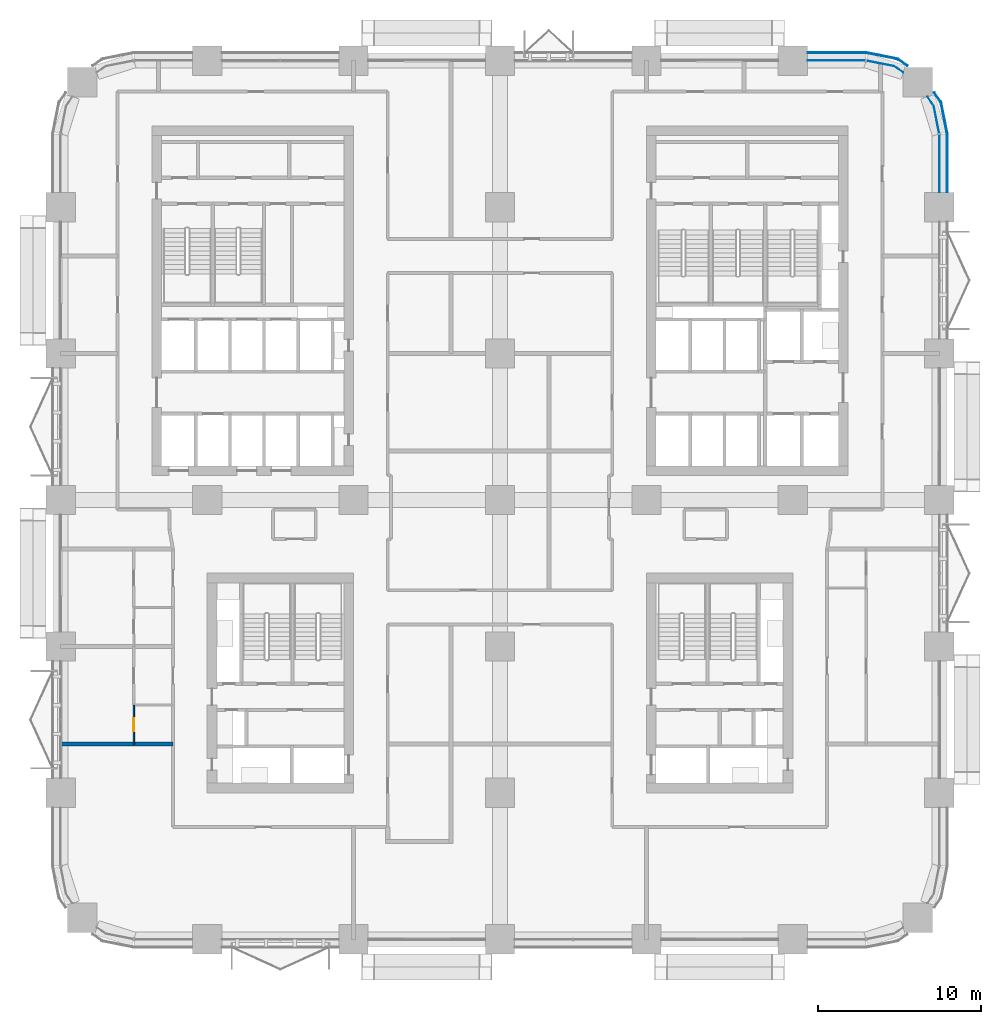
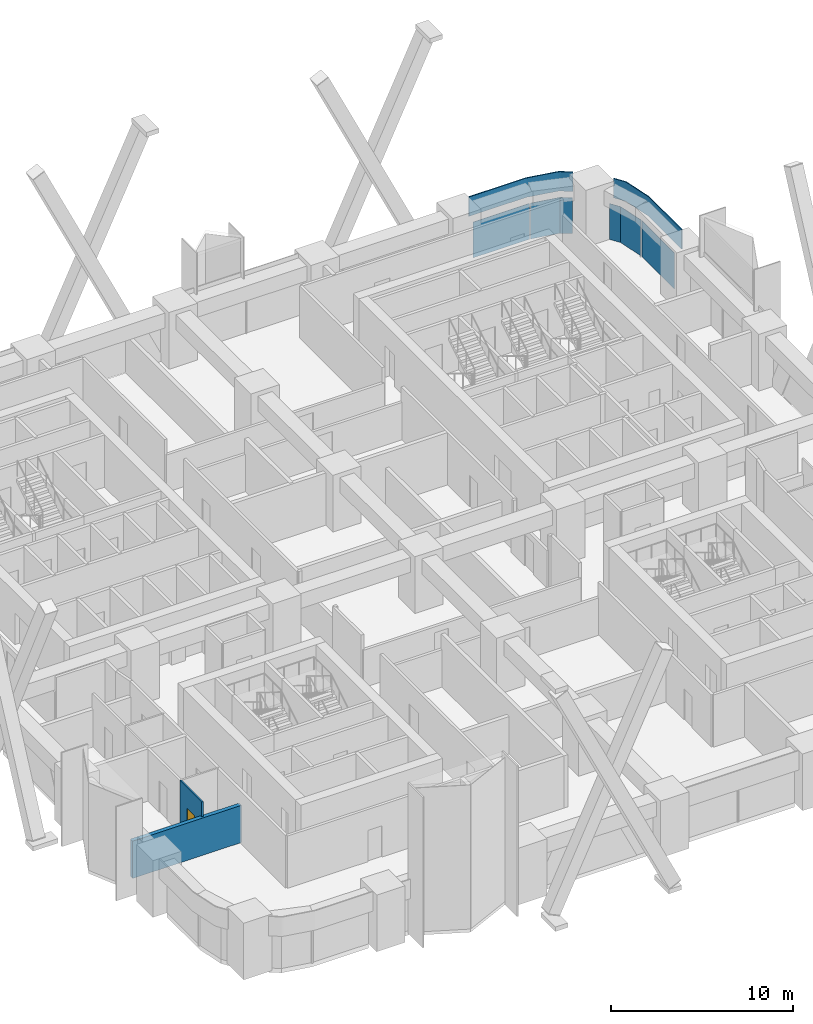
# One storey, part 13 of 23: 6 plates, 2 walls, 1 door, 1 opening, 2 elements without a shape of their own.
"""IFC4 building model written with IfcOpenShell, lengths in metres."""

from ifc_helpers import new_model, si_unit, direction, frame, frame_2d, origin, origin_2d, place, context, subcontext, project, spatial, polyline, rectangle, outline, extrude, material, layer, layer_set, type_object, element, fill, aggregate, save


model = new_model("IFC4")

# Units and contexts
model_context = context("Model", 3, precision=1e-05, world=origin(), true_north=direction((0.0, 1.0)))
body_context = subcontext(model_context, "Body", "Model", "MODEL_VIEW")
ifc_project = project(units=[si_unit("LENGTHUNIT", "METRE"), si_unit("AREAUNIT", "SQUARE_METRE"), si_unit("VOLUMEUNIT", "CUBIC_METRE"), si_unit("PLANEANGLEUNIT", "RADIAN"), si_unit("MASSUNIT", "GRAM", prefix="KILO")], contexts=[model_context])

# Site, building, storey
site_placement = place(None, origin())
site = spatial("IfcSite", under=ifc_project, at=site_placement, CompositionType="ELEMENT")
building_placement = place(site_placement, origin())
building = spatial("IfcBuilding", under=site, at=building_placement, Name="Tessera Arch", CompositionType="ELEMENT")
storey_placement = place(building_placement, frame((0.0, 0.0, 46.199951171875)))
storey = spatial("IfcBuildingStorey", under=building, at=storey_placement, Name="L09", CompositionType="ELEMENT", Elevation=46.199951171875)

# Curtain wall, plates
ifc_material_1 = material(Name="CW2 curtain wall")
curtain_wall_type = type_object("IfcCurtainWallType", Name="CW2 curtain wall", PredefinedType="NOTDEFINED", material=ifc_material_1)
curtain_wall_1_placement = place(storey_placement, origin())
curtain_wall_1 = element("IfcCurtainWall", 1, at=curtain_wall_1_placement, inside=storey, type_object=curtain_wall_type, Name="CW2 curtain wall E54.0/5 L09", PredefinedType="NOTDEFINED")
ifc_material_2 = material(Name="Clear low-e glass", Category="glass")
ifc_material_3 = material(Name="Clear low-e glass", Category="glass")
ifc_layer_1 = layer(ifc_material_3, 0.028076171875)
ifc_layer_set_1 = layer_set([ifc_layer_1], Name="CW2 glass panel")
plate_type_1 = type_object("IfcPlateType", Name="CW2 glass panel", PredefinedType="CURTAIN_PANEL", material=ifc_layer_set_1)
plate_1_placement = place(storey_placement, frame((54.0, 47.679931640625, 0.0), z_axis=(0.0, 0.0, 1.0), x_axis=(0.0, 1.0, 0.0)))
plate_1 = element("IfcPlate", 2, at=plate_1_placement, type_object=plate_type_1, material=ifc_material_2, Name="CW2 glass panel E54.0/5 1.1", PredefinedType="CURTAIN_PANEL", context=body_context, shape_type="SweptSolid", body=[
    extrude(rectangle(XDim=3.56005859375, YDim=0.028076171875, at=origin_2d()), origin(), (0.0, 0.0, 1.0), 2.39990234375),
])
plate_2_placement = place(storey_placement, origin())
plate_2 = element("IfcPlate", 3, at=plate_2_placement, type_object=plate_type_1, material=ifc_material_2, Name="CW2 curved glass panel E54.0/5 2.1", PredefinedType="CURTAIN_PANEL", context=body_context, shape_type="SweptSolid", body=[
    extrude(outline(polyline([(53.644287109375, 51.216552734375), (53.978515625, 49.53662109375), (54.005859375, 49.5419921875), (53.670654296875, 51.2275390625), (53.294921875, 51.789794921875), (53.271728515625, 51.774169921875), (53.644287109375, 51.216552734375)])), origin(), (0.0, 0.0, 1.0), 2.400146484375),
])

curtain_wall_2_placement = place(storey_placement, origin())
curtain_wall_2 = element("IfcCurtainWall", 4, at=curtain_wall_2_placement, inside=storey, type_object=curtain_wall_type, Name="CW2 curtain wall N54.0/0 L09", PredefinedType="NOTDEFINED")
plate_3_placement = place(storey_placement, frame((47.679931640625, 54.0, 0.0), z_axis=(0.0, 0.0, 1.0), x_axis=(-1.0, 0.0, 0.0)))
plate_3 = element("IfcPlate", 5, at=plate_3_placement, type_object=plate_type_1, material=ifc_material_2, Name="CW2 glass panel N54.0/0 1.1", PredefinedType="CURTAIN_PANEL", context=body_context, shape_type="SweptSolid", body=[
    extrude(rectangle(XDim=3.56005859375, YDim=0.028076171875, at=origin_2d()), origin(), (0.0, 0.0, 1.0), 2.39990234375),
])
plate_4_placement = place(storey_placement, origin())
plate_4 = element("IfcPlate", 6, at=plate_4_placement, type_object=plate_type_1, material=ifc_material_2, Name="CW2 curved glass panel N54.0/0 2.1", PredefinedType="CURTAIN_PANEL", context=body_context, shape_type="SweptSolid", body=[
    extrude(outline(polyline([(51.216552734375, 53.644287109375), (51.774169921875, 53.271728515625), (51.789794921875, 53.294921875), (51.2275390625, 53.670654296875), (49.5419921875, 54.005859375), (49.53662109375, 53.978515625), (51.216552734375, 53.644287109375)])), origin(), (0.0, 0.0, 1.0), 2.400146484375),
])

# Plate
ifc_material_4 = material(Name="Pale anodised aluminium panel", Category="aluminium")
ifc_layer_2 = layer(ifc_material_4, 0.06005859375)
ifc_layer_set_2 = layer_set([ifc_layer_2], Name="CW2 spandrel panel")
plate_type_2 = type_object("IfcPlateType", Name="CW2 spandrel panel", PredefinedType="CURTAIN_PANEL", material=ifc_layer_set_2)
plate_5_placement = place(storey_placement, frame((0.0, 0.0, 2.5)))
plate_5 = element("IfcPlate", 7, at=plate_5_placement, type_object=plate_type_2, Name="CW2 spandrel panel E54.0/5", PredefinedType="CURTAIN_PANEL", context=body_context, shape_type="SweptSolid", body=[
    extrude(outline(polyline([(54.449951171875, 49.499267578125), (54.449951171875, 45.89990234375), (54.510009765625, 45.89990234375), (54.510009765625, 49.500732421875), (54.507568359375, 49.550048828125), (54.500244140625, 49.598876953125), (54.157470703125, 51.322265625), (54.1455078125, 51.3701171875), (54.128662109375, 51.417236328125), (54.107177734375, 51.462646484375), (54.08203125, 51.5048828125), (53.707275390625, 52.0654296875), (53.657470703125, 52.031982421875), (54.03125, 51.47265625), (54.05419921875, 51.434326171875), (54.0732421875, 51.394287109375), (54.088134765625, 51.352783203125), (54.09912109375, 51.30908203125), (54.441162109375, 49.588623046875), (54.44775390625, 49.544189453125), (54.449951171875, 49.499267578125)])), origin(), (0.0, 0.0, 1.0), 1.300048828125),
])

aggregate(curtain_wall_1, [plate_1, plate_2, plate_5])

plate_6_placement = place(storey_placement, frame((0.0, 0.0, 2.5)))
plate_6 = element("IfcPlate", 8, at=plate_6_placement, type_object=plate_type_2, Name="CW2 spandrel panel N54.0/0", PredefinedType="CURTAIN_PANEL", context=body_context, shape_type="SweptSolid", body=[
    extrude(outline(polyline([(51.47265625, 54.03125), (52.031982421875, 53.657470703125), (52.0654296875, 53.707275390625), (51.5048828125, 54.08203125), (51.462646484375, 54.107177734375), (51.417236328125, 54.128662109375), (51.3701171875, 54.1455078125), (51.322265625, 54.157470703125), (49.598876953125, 54.500244140625), (49.550048828125, 54.507568359375), (49.500732421875, 54.510009765625), (45.89990234375, 54.510009765625), (45.89990234375, 54.449951171875), (49.499267578125, 54.449951171875), (49.544189453125, 54.44775390625), (49.588623046875, 54.441162109375), (51.30908203125, 54.09912109375), (51.352783203125, 54.088134765625), (51.394287109375, 54.0732421875), (51.434326171875, 54.05419921875), (51.47265625, 54.03125)])), origin(), (0.0, 0.0, 1.0), 1.300048828125),
])

aggregate(curtain_wall_2, [plate_3, plate_4, plate_6])

# Wall
ifc_material_5 = material(Name="Double gypsum board on twin steel stud with acoustic mineral wool", Category="steel")
ifc_layer_3 = layer(ifc_material_5, 0.25)
ifc_layer_set_3 = layer_set([ifc_layer_3], Name="Party wall 250 EI 60")
wall_type_1 = type_object("IfcWallType", Name="Party wall 250 EI 60", PredefinedType="PARTITIONING", material=ifc_layer_set_3)
wall_1_placement = place(storey_placement, frame((0.0, 12.0, 0.0), z_axis=(0.0, 0.0, 1.0), x_axis=(1.0, 0.0, 0.0)))
element("IfcWall", 9, at=wall_1_placement, inside=storey, type_object=wall_type_1, Name="L09 partition 43", PredefinedType="PARTITIONING", context=body_context, shape_type="SweptSolid", body=[
    extrude(rectangle(XDim=6.89990234375, YDim=0.25, at=frame_2d((3.449951171875, 0.0))), origin(), (0.0, 0.0, 1.0), 2.5),
])

# Wall, opening, door
ifc_material_6 = material(Name="Moisture-resistant board on pre-plumbed steel stud", Category="steel")
ifc_layer_4 = layer(ifc_material_6, 0.10009765625)
ifc_layer_set_4 = layer_set([ifc_layer_4], Name="Wet wall 100")
wall_type_2 = type_object("IfcWallType", Name="Wet wall 100", PredefinedType="PARTITIONING", material=ifc_layer_set_4)
wall_2_placement = place(storey_placement, frame((4.5, 12.0, 0.0), z_axis=(0.0, 0.0, 1.0), x_axis=(0.0, 1.0, 0.0)))
wall_2 = element("IfcWall", 10, at=wall_2_placement, inside=storey, type_object=wall_type_2, Name="L09 partition 70", PredefinedType="PARTITIONING", context=body_context, shape_type="SweptSolid", body=[
    extrude(rectangle(XDim=2.39990234375, YDim=0.10009765625, at=frame_2d((1.199951171875, 0.0))), origin(), (0.0, 0.0, 1.0), 3.5),
])
opening_placement = place(wall_2_placement, frame((0.800048828125, 0.0, 0.0)))
opening = element("IfcOpeningElement", 11, at=opening_placement, cuts=wall_2, Name="Opening L09-D007", PredefinedType="OPENING", context=body_context, shape_type="SweptSolid", body=[
    extrude(rectangle(XDim=0.800048828125, YDim=2.10009765625, at=frame_2d((0.39990234375, 1.050048828125))), frame((0.0, 0.06005859375, 0.0), z_axis=(0.0, -1.0, 0.0), x_axis=(1.0, 0.0, 0.0)), (0.0, 0.0, 1.0), 0.1201171875),
])
ifc_material_7 = material(Name="Timber door leaf", Category="wood")
door_type = type_object("IfcDoorType", Name="En-suite door 800 x 2100", OperationType="SINGLE_SWING_LEFT", PredefinedType="DOOR", material=ifc_material_7)
door_placement = place(opening_placement, origin())
door = element("IfcDoor", 12, at=door_placement, inside=storey, type_object=door_type, Name="L09 door D007 type D02", OperationType="SINGLE_SWING_LEFT", OverallHeight=2.10009765625, OverallWidth=0.800048828125, PredefinedType="DOOR", context=body_context, shape_type="SweptSolid", body=[
    extrude(rectangle(XDim=0.800048828125, YDim=2.10009765625, at=frame_2d((0.39990234375, 1.050048828125))), frame((0.0, 0.02490234375, 0.0), z_axis=(0.0, -1.0, 0.0), x_axis=(1.0, 0.0, 0.0)), (0.0, 0.0, 1.0), 0.050048828125),
])
fill(opening, door)

save(model, "model.ifc")
